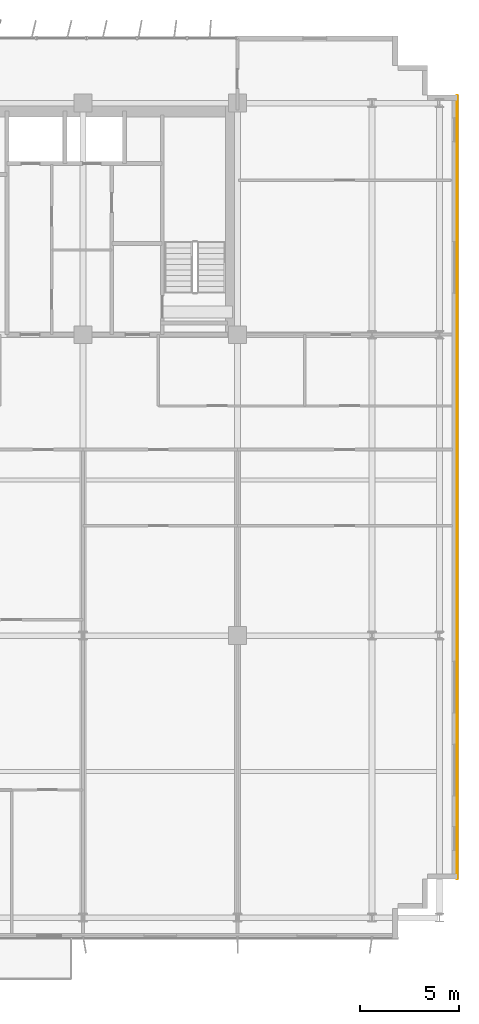
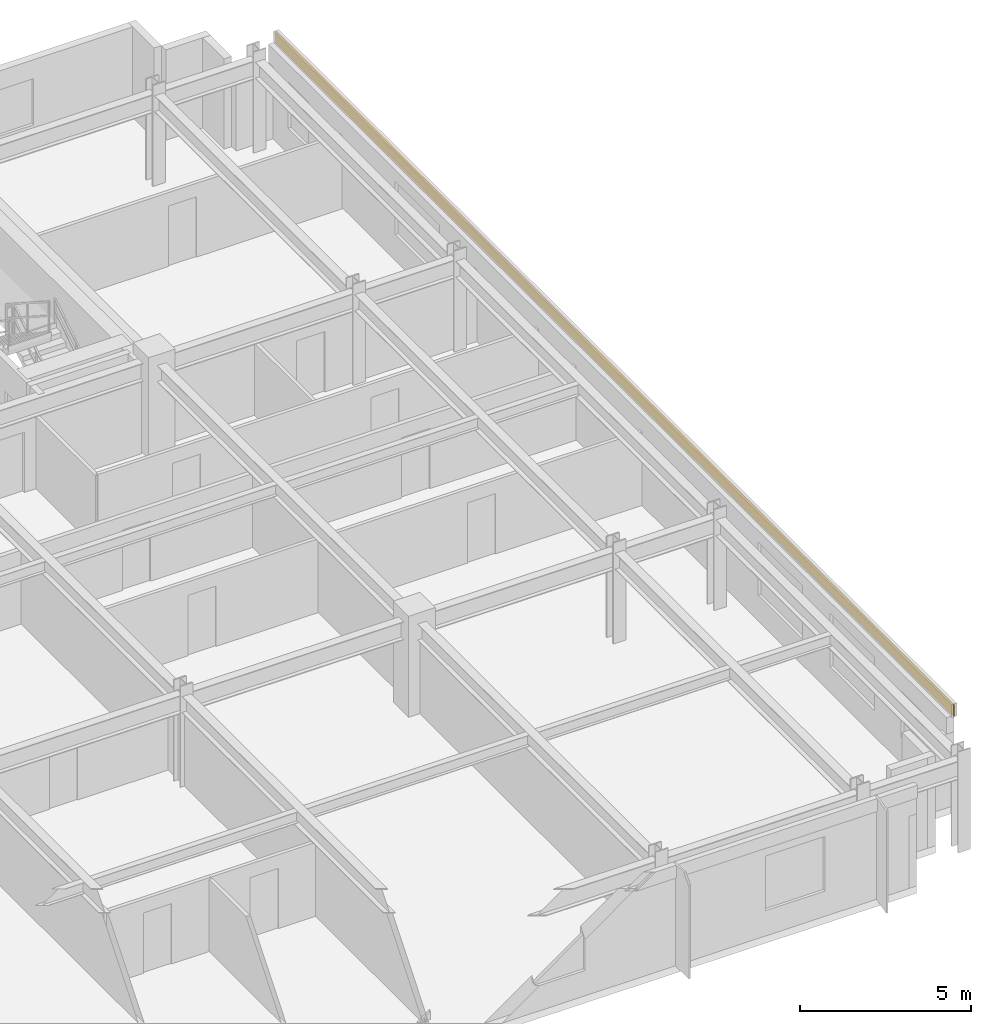
# One storey, part 25 of 25: 1 covering.
"""IFC4 building model written with IfcOpenShell, lengths in metres."""

import ifcopenshell
import ifcopenshell.guid

model = None  # the IFC model being written
_history = None  # IfcOwnerHistory: only IFC2X3 demands one
_inside = {}  # id of a spatial element -> (the spatial element, [elements in it])
_under = {}  # id of a project, library or spatial element -> (it, [spatial elements below it])
_declared = {}  # id of a project -> (the project, [libraries it declares])
_typed = {}  # id of a type object -> (the type object, [elements of that type])
_made_of = {}  # id of a material, layer set ... -> (it, [elements and type objects made of it])


def new_model(schema):
    """Start an empty IFC model of exactly this schema.

    Asked for "IFC4X3", IfcOpenShell would pick the latest addendum, in which some entities
    have other attributes; the version numbers below select the first issue.
    IFC2X3 requires an IfcOwnerHistory on every rooted entity: one is made here for all.
    """
    global model, _history
    if schema == "IFC4X3":
        model = ifcopenshell.file(schema_version=(4, 3, 0, 0))
    else:
        model = ifcopenshell.file(schema=schema)
    _inside.clear()
    _under.clear()
    _declared.clear()
    _typed.clear()
    _made_of.clear()
    _history = None
    if model.schema == "IFC2X3":
        org = make("IfcOrganization", Name="unknown")
        user = make(
            "IfcPersonAndOrganization",
            ThePerson=make("IfcPerson", FamilyName="unknown"),
            TheOrganization=org,
        )
        app = make(
            "IfcApplication",
            ApplicationDeveloper=org,
            Version="unknown",
            ApplicationFullName="unknown",
            ApplicationIdentifier="unknown",
        )
        _history = make(
            "IfcOwnerHistory",
            OwningUser=user,
            OwningApplication=app,
            ChangeAction="ADDED",
            CreationDate=0,
        )
    return model


def make(cls, **values):
    """One entity of the class cls with the attributes given. An attribute that is None is left unset."""
    return model.create_entity(
        cls, **{name: value for name, value in values.items() if value is not None}
    )


def rooted(cls, **values):
    """An entity with a GlobalId (a new one), such as an element, a storey or a relation."""
    return make(cls, GlobalId=ifcopenshell.guid.new(), OwnerHistory=_history, **values)


def si_unit(unit_type, name, prefix=None):
    """IfcSIUnit, for example si_unit("LENGTHUNIT", "METRE", prefix="MILLI")."""
    return make("IfcSIUnit", UnitType=unit_type, Prefix=prefix, Name=name)


def assignment(units):
    """IfcUnitAssignment: the units of a project."""
    return None if units is None else make("IfcUnitAssignment", Units=units)


def point(xyz):
    """IfcCartesianPoint."""
    return None if xyz is None else make("IfcCartesianPoint", Coordinates=xyz)


def direction(xyz):
    """IfcDirection."""
    return None if xyz is None else make("IfcDirection", DirectionRatios=xyz)


def frame(location, z_axis=None, x_axis=None):
    """IfcAxis2Placement3D, a coordinate frame: its origin and axes. An axis left out is left unset."""
    return make(
        "IfcAxis2Placement3D",
        Location=point(location),
        Axis=direction(z_axis),
        RefDirection=direction(x_axis),
    )


def frame_2d(location, x_axis=None):
    """IfcAxis2Placement2D, a coordinate frame in the plane: its origin and x axis."""
    return make(
        "IfcAxis2Placement2D", Location=point(location), RefDirection=direction(x_axis)
    )


def origin():
    """The frame at (0, 0, 0) with its axes left unset."""
    return frame((0.0, 0.0, 0.0))


def origin_2d():
    """The frame at (0, 0) in the plane with its x axis left unset."""
    return frame_2d((0.0, 0.0))


def place(relative_to, where):
    """IfcLocalPlacement: puts the frame where relative to a parent placement (None: the world)."""
    return make(
        "IfcLocalPlacement", PlacementRelTo=relative_to, RelativePlacement=where
    )


def context(
    kind, dimensions, precision=None, world=None, true_north=None, identifier=None
):
    """IfcGeometricRepresentationContext, for example the 3D "Model" context."""
    return make(
        "IfcGeometricRepresentationContext",
        ContextIdentifier=identifier,
        ContextType=kind,
        CoordinateSpaceDimension=dimensions,
        Precision=precision,
        WorldCoordinateSystem=world,
        TrueNorth=true_north,
    )


def subcontext(parent, identifier, kind, view, scale=None):
    """IfcGeometricRepresentationSubContext, for example "Body" below "Model"."""
    return make(
        "IfcGeometricRepresentationSubContext",
        ContextIdentifier=identifier,
        ContextType=kind,
        ParentContext=parent,
        TargetScale=scale,
        TargetView=view,
    )


def project(units=None, contexts=None):
    """IfcProject with its units and contexts."""
    return rooted(
        "IfcProject",
        Name="project",
        RepresentationContexts=contexts,
        UnitsInContext=assignment(units),
    )


def spatial(cls, under=None, at=None, **own):
    """A site, building, storey or space (cls), placed at a placement, below another one or the project."""
    s = rooted(cls, ObjectPlacement=at, **own)
    if under is not None:
        _under.setdefault(under.id(), (under, []))[1].append(s)
    return s


def profile(cls, at=None, kind="AREA", **sizes):
    """A parametric profile (cls). Its sizes go by their IFC names, for example OverallWidth=200.0."""
    return make(cls, ProfileType=kind, Position=at, **sizes)


def rectangle(**sizes):
    """IfcRectangleProfileDef."""
    return profile("IfcRectangleProfileDef", **sizes)


def extrude(swept, where, along, depth):
    """IfcExtrudedAreaSolid: the profile swept, set in the frame where, extruded along a direction by depth."""
    return make(
        "IfcExtrudedAreaSolid",
        SweptArea=swept,
        Position=where,
        ExtrudedDirection=direction(along),
        Depth=depth,
    )


def shape(context_of_items, identifier, shape_type, items):
    """IfcShapeRepresentation: the items that make up one representation, for example the "Body"."""
    return make(
        "IfcShapeRepresentation",
        ContextOfItems=context_of_items,
        RepresentationIdentifier=identifier,
        RepresentationType=shape_type,
        Items=items,
    )


def source(mapping_origin, context_of_items, identifier, shape_type, items):
    """IfcRepresentationMap: a shape defined once, which mapped items show again and again."""
    return make(
        "IfcRepresentationMap",
        MappingOrigin=mapping_origin,
        MappedRepresentation=shape(context_of_items, identifier, shape_type, items),
    )


def transform(
    local_origin,
    x_axis=None,
    y_axis=None,
    z_axis=None,
    scale=None,
    scale2=None,
    scale3=None,
    uniform=True,
):
    """IfcCartesianTransformationOperator3D, or its non-uniform kind. x_axis, y_axis, z_axis: its Axis1, 2, 3."""
    if uniform:
        return make(
            "IfcCartesianTransformationOperator3D",
            Axis1=direction(x_axis),
            Axis2=direction(y_axis),
            LocalOrigin=point(local_origin),
            Scale=scale,
            Axis3=direction(z_axis),
        )
    return make(
        "IfcCartesianTransformationOperator3DnonUniform",
        Axis1=direction(x_axis),
        Axis2=direction(y_axis),
        LocalOrigin=point(local_origin),
        Scale=scale,
        Axis3=direction(z_axis),
        Scale2=scale2,
        Scale3=scale3,
    )


def mapped(mapping_source, mapping_target):
    """IfcMappedItem: shows the shape of a source again, moved by a transform."""
    return make(
        "IfcMappedItem", MappingSource=mapping_source, MappingTarget=mapping_target
    )


def material(Name=None, Category=None):
    """IfcMaterial."""
    return make("IfcMaterial", Name=Name, Category=Category)


def layer(
    of_material, thickness, ventilated=None, Name=None, Category=None, Priority=None
):
    """IfcMaterialLayer: one layer of a wall or slab, of a material (None: an air gap)."""
    return make(
        "IfcMaterialLayer",
        Material=of_material,
        LayerThickness=thickness,
        IsVentilated=ventilated,
        Name=Name,
        Category=Category,
        Priority=Priority,
    )


def layer_set(layers, Name=None):
    """IfcMaterialLayerSet."""
    return make("IfcMaterialLayerSet", MaterialLayers=layers, LayerSetName=Name)


def made_of(thing, what):
    """Note that an element or type object is made of a material, layer set ...; save() writes the relation."""
    if what is not None:
        _made_of.setdefault(what.id(), (what, []))[1].append(thing)
    return thing


def type_object(cls, material=None, **own):
    """A type object (cls), such as IfcWallType, which elements share."""
    return made_of(rooted(cls, **own), material)


def element(
    cls,
    number,
    at=None,
    inside=None,
    cuts=None,
    type_object=None,
    material=None,
    context=None,
    identifier="Body",
    shape_type=None,
    held_by="IfcProductDefinitionShape",
    body=None,
    shapes=None,
    **own,
):
    """One element of the class cls, such as IfcWall. Its Tag is "e" and its number.

    at: its placement. inside: the storey or other place that contains it. cuts: it is an
    opening in that element (IfcRelVoidsElement). A single representation is given by context,
    identifier, shape_type and body (its items); several are given by shapes. held_by: the class
    of the entity that holds the representations. save() writes the other relations.
    """
    e = rooted(cls, Tag="e%d" % number, ObjectPlacement=at, **own)
    if body is not None:
        shapes = [shape(context, identifier, shape_type, body)]
    if shapes is not None:
        e.Representation = make(held_by, Representations=shapes)
    if inside is not None:
        _inside.setdefault(inside.id(), (inside, []))[1].append(e)
    if cuts is not None:
        rooted(
            "IfcRelVoidsElement", RelatingBuildingElement=cuts, RelatedOpeningElement=e
        )
    if type_object is not None:
        _typed.setdefault(type_object.id(), (type_object, []))[1].append(e)
    return made_of(e, material)


def aggregate(whole, parts):
    """IfcRelAggregates: a whole, such as a stair, and the parts it consists of."""
    return rooted("IfcRelAggregates", RelatingObject=whole, RelatedObjects=parts)


def save(model, path):
    """Write the relations noted so far, then the file.

    IfcRelAggregates (storeys below a building ...), IfcRelContainedInSpatialStructure (elements
    in a storey), IfcRelDefinesByType, IfcRelAssociatesMaterial and IfcRelDeclares: one each for
    every whole, place, type object, material and project.
    """
    for whole, parts in _under.values():
        aggregate(whole, parts)
    for where, things in _inside.values():
        rooted(
            "IfcRelContainedInSpatialStructure",
            RelatedElements=things,
            RelatingStructure=where,
        )
    for kind, things in _typed.values():
        rooted("IfcRelDefinesByType", RelatedObjects=things, RelatingType=kind)
    for what, things in _made_of.values():
        rooted("IfcRelAssociatesMaterial", RelatedObjects=things, RelatingMaterial=what)
    for by, libraries in _declared.values():
        rooted("IfcRelDeclares", RelatingContext=by, RelatedDefinitions=libraries)
    model.write(path)


model = new_model("IFC4")

# Units and contexts
model_context = context("Model", 3, precision=1e-05, world=origin(), true_north=direction((0.0, 1.0)))
body_context = subcontext(model_context, "Body", "Model", "MODEL_VIEW")
ifc_project = project(units=[si_unit("LENGTHUNIT", "METRE"), si_unit("AREAUNIT", "SQUARE_METRE"), si_unit("VOLUMEUNIT", "CUBIC_METRE"), si_unit("PLANEANGLEUNIT", "RADIAN"), si_unit("MASSUNIT", "GRAM", prefix="KILO")], contexts=[model_context])

# Site, building, storey
site_placement = place(None, origin())
site = spatial("IfcSite", under=ifc_project, at=site_placement, CompositionType="ELEMENT")
building_placement = place(site_placement, origin())
building = spatial("IfcBuilding", under=site, at=building_placement, Name="Trelvane Seafront Commons", CompositionType="ELEMENT")
storey_placement = place(building_placement, frame((0.0, 0.0, 70.300048828125)))
storey = spatial("IfcBuildingStorey", under=building, at=storey_placement, Name="L18", CompositionType="ELEMENT", Elevation=70.300048828125)

# Covering
ifc_material = material(Name="Anodised pale-silver aluminium", Category="aluminium")
ifc_layer = layer(ifc_material, 0.034912109375, Name="ARCH-COV-CLAD35")
ifc_layer_set = layer_set([ifc_layer], Name="Anodised pale-silver aluminium")
covering_type = type_object("IfcCoveringType", Name="ARCH-COV-CLAD35", PredefinedType="CLADDING", material=ifc_layer_set)
shared_shape = source(origin(), body_context, "Body", "SweptSolid", [
    extrude(rectangle(XDim=39.60009765625, YDim=0.034912109375, at=origin_2d()), origin(), (0.0, 0.0, 1.0), 0.419921875),
])
covering_placement = place(storey_placement, frame((69.89990234375, 25.699951171875, 3.179931640625), z_axis=(0.0, 0.0, 1.0), x_axis=(0.0, -1.0, 0.0)))
element("IfcCovering", 1, at=covering_placement, inside=storey, type_object=covering_type, Name="CLD-L18-00086", PredefinedType="CLADDING", context=body_context, shape_type="MappedRepresentation", body=[
    mapped(shared_shape, transform((0.0, 0.0, 0.0), x_axis=(1.0, 0.0, 0.0), y_axis=(0.0, 1.0, 0.0), z_axis=(0.0, 0.0, 1.0), scale=1.0)),
])

save(model, "model.ifc")
